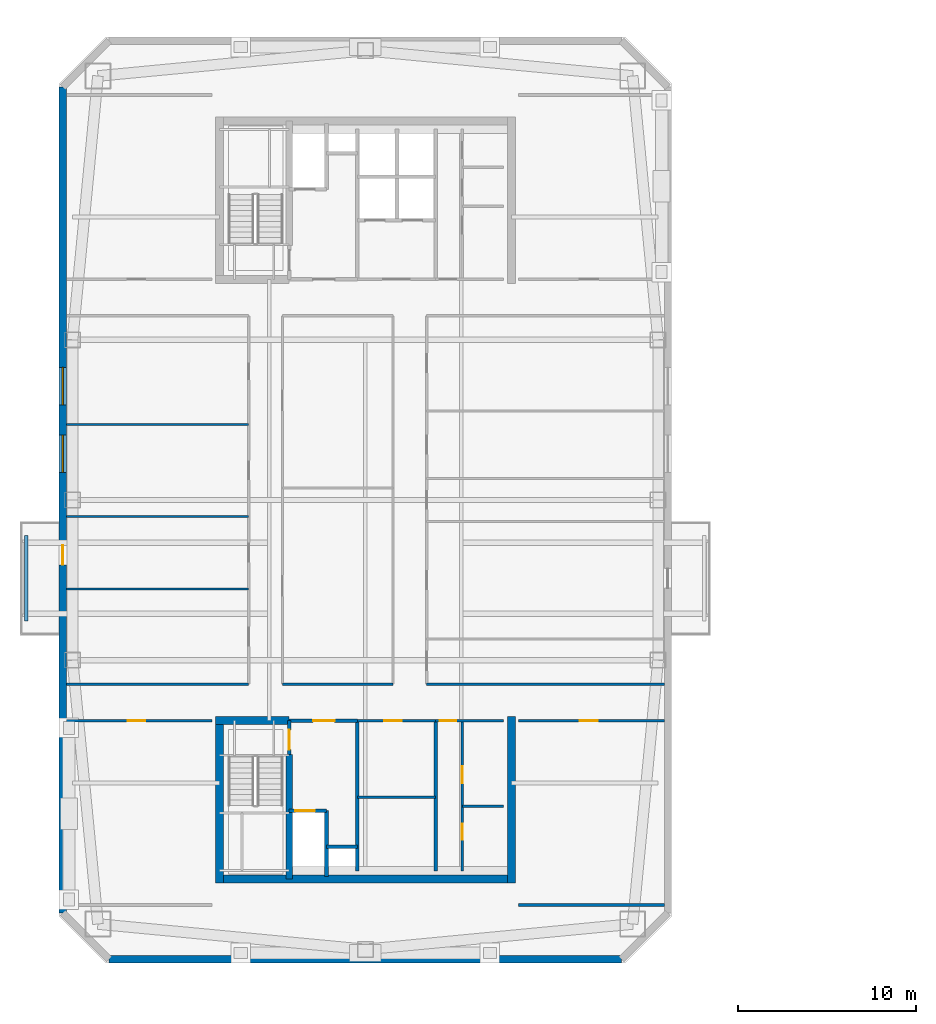
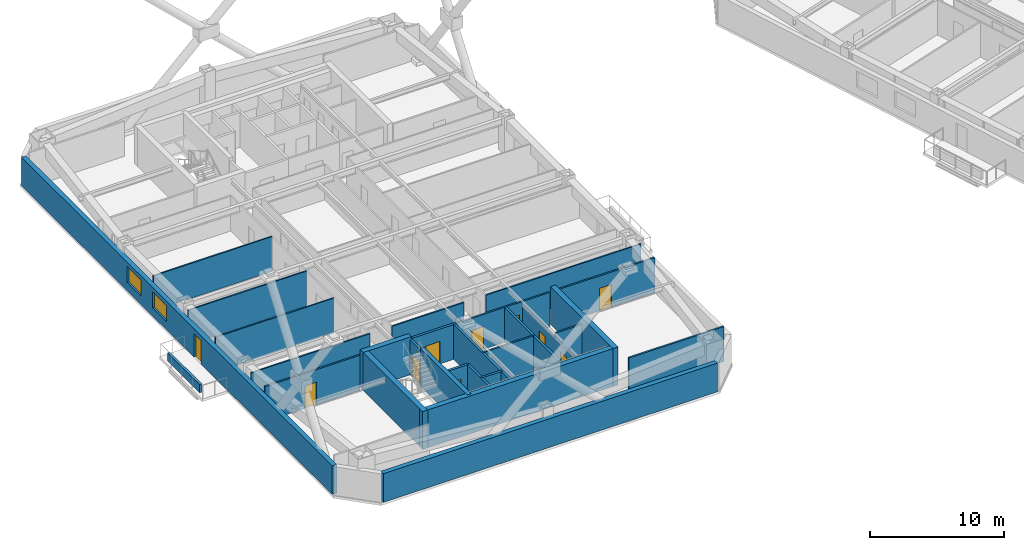
# One storey, part 6 of 16: 29 walls, 10 doors, 2 windows, 12 openings.
"""IFC4 building model written with IfcOpenShell, lengths in metres."""

from ifc_helpers import new_model, si_unit, direction, frame, frame_2d, origin, place, context, subcontext, project, spatial, rectangle, extrude, material, layer, layer_set, type_object, element, fill, save


model = new_model("IFC4")

# Units and contexts
model_context = context("Model", 3, precision=1e-05, world=origin(), true_north=direction((0.0, 1.0)))
body_context = subcontext(model_context, "Body", "Model", "MODEL_VIEW")
ifc_project = project(units=[si_unit("LENGTHUNIT", "METRE"), si_unit("AREAUNIT", "SQUARE_METRE"), si_unit("VOLUMEUNIT", "CUBIC_METRE"), si_unit("PLANEANGLEUNIT", "RADIAN"), si_unit("MASSUNIT", "GRAM", prefix="KILO")], contexts=[model_context])

# Site, building, storey
site_placement = place(None, origin())
site = spatial("IfcSite", under=ifc_project, at=site_placement, CompositionType="ELEMENT")
building_placement = place(site_placement, origin())
building = spatial("IfcBuilding", under=site, at=building_placement, Name="Qiaolan Cultural Towers", CompositionType="ELEMENT")
storey_placement = place(building_placement, frame((0.0, 0.0, 188.60009765625)))
storey = spatial("IfcBuildingStorey", under=building, at=storey_placement, Name="L50", CompositionType="ELEMENT", Elevation=188.60009765625)

# Walls
ifc_material_1 = material(Name="Concrete C50", Category="concrete")
ifc_layer_1 = layer(ifc_material_1, 0.35009765625)
ifc_layer_set_1 = layer_set([ifc_layer_1], Name="Concrete C50")
wall_type_1 = type_object("IfcWallType", Name="WL-CORE-350", PredefinedType="SHEAR", material=ifc_layer_set_1)
wall_1_placement = place(storey_placement, frame((25.719970703125, 19.699951171875, 0.0), z_axis=(0.0, 0.0, 1.0), x_axis=(0.0, -1.0, 0.0)))
element("IfcWall", 1, at=wall_1_placement, inside=storey, type_object=wall_type_1, Name="L50 T1-CS Stair Core Dividing Web", PredefinedType="SHEAR", context=body_context, shape_type="SweptSolid", body=[
    extrude(rectangle(XDim=6.97998046875, YDim=0.35009765625, at=frame_2d((3.489990234375, 0.0))), origin(), (0.0, 0.0, 1.0), 3.449951171875),
])
ifc_material_2 = material(Name="Concrete C50", Category="concrete")
ifc_layer_2 = layer(ifc_material_2, 0.449951171875)
ifc_layer_set_2 = layer_set([ifc_layer_2], Name="Concrete C50")
wall_type_2 = type_object("IfcWallType", Name="WL-CORE-450", PredefinedType="SHEAR", material=ifc_layer_set_2)
wall_2_placement = place(storey_placement, frame((21.574951171875, 12.719970703125, 0.0), z_axis=(0.0, 0.0, 1.0), x_axis=(1.0, 0.0, 0.0)))
element("IfcWall", 2, at=wall_2_placement, inside=storey, type_object=wall_type_2, Name="L50 T1-CS Outer Core Shear Wall", PredefinedType="SHEAR", context=body_context, shape_type="SweptSolid", body=[
    extrude(rectangle(XDim=16.85009765625, YDim=0.449951171875, at=frame_2d((8.425048828125, 0.0))), origin(), (0.0, 0.0, 1.0), 3.449951171875),
])
for number, where, z_axis, x_axis, name in (
    (3, (21.800048828125, 21.824951171875, 0.0), (0.0, 0.0, 1.0), (0.0, -1.0, 0.0), "L50 T1-CS West Core Shear Wall"),
    (4, (38.199951171875, 21.824951171875, 0.0), (0.0, 0.0, 1.0), (0.0, -1.0, 0.0), "L50 T1-CS East Core Shear Wall"),
):
    element("IfcWall", number, at=place(storey_placement, frame(where, z_axis=z_axis, x_axis=x_axis)), inside=storey, type_object=wall_type_2, Name=name, PredefinedType="SHEAR", context=body_context, shape_type="SweptSolid", body=[
        extrude(rectangle(XDim=9.329833984375, YDim=0.449951171875, at=frame_2d((4.6650390625, 0.0))), origin(), (0.0, 0.0, 1.0), 3.449951171875),
    ])
wall_3_placement = place(storey_placement, frame((21.574951171875, 21.60009765625, 0.0), z_axis=(0.0, 0.0, 1.0), x_axis=(1.0, 0.0, 0.0)))
element("IfcWall", 5, at=wall_3_placement, inside=storey, type_object=wall_type_2, Name="L50 T1-CS Stair Front Shear Wall", PredefinedType="SHEAR", context=body_context, shape_type="SweptSolid", body=[
    extrude(rectangle(XDim=4.14501953125, YDim=0.449951171875, at=frame_2d((2.072509765625, 0.0))), origin(), (0.0, 0.0, 1.0), 3.449951171875),
])

# Wall, openings, door, windows
ifc_material_3 = material(Name="Precast Concrete C50 Honed Stone Pier", Category="masonry")
ifc_layer_3 = layer(ifc_material_3, 0.39990234375)
ifc_layer_set_3 = layer_set([ifc_layer_3], Name="Precast Concrete C50 Honed Stone Pier")
wall_type_3 = type_object("IfcWallType", Name="WL-EXT-PIER-400", PredefinedType="SOLIDWALL", material=ifc_layer_set_3)
wall_4_placement = place(storey_placement, frame((13.0, 10.800048828125, 0.0), z_axis=(0.0, 0.0, 1.0), x_axis=(0.0, 1.0, 0.0)))
wall_4 = element("IfcWall", 6, at=wall_4_placement, inside=storey, type_object=wall_type_3, Name="L50 West Tower Precast Pier Facade Wall F1", PredefinedType="SOLIDWALL", context=body_context, shape_type="SweptSolid", body=[
    extrude(rectangle(XDim=46.39990234375, YDim=0.39990234375, at=frame_2d((23.199951171875, 0.0))), origin(), (0.0, 0.0, 1.0), 2.60986328125),
])
opening_1_placement = place(wall_4_placement, frame((24.75, 0.0, 0.75)))
opening_1 = element("IfcOpeningElement", 7, at=opening_1_placement, cuts=wall_4, Name="Opening W-05", PredefinedType="OPENING", context=body_context, shape_type="SweptSolid", body=[
    extrude(rectangle(XDim=2.10009765625, YDim=1.4599609375, at=frame_2d((1.050048828125, 0.72998046875))), frame((0.0, 0.2099609375, 0.0), z_axis=(0.0, -1.0, 0.0), x_axis=(1.0, 0.0, 0.0)), (0.0, 0.0, 1.0), 0.419921875),
])
opening_2_placement = place(wall_4_placement, frame((28.550048828125, 0.0, 0.75)))
opening_2 = element("IfcOpeningElement", 8, at=opening_2_placement, cuts=wall_4, Name="Opening W-05", PredefinedType="OPENING", context=body_context, shape_type="SweptSolid", body=[
    extrude(rectangle(XDim=2.10009765625, YDim=1.4599609375, at=frame_2d((1.050048828125, 0.72998046875))), frame((0.0, 0.2099609375, 0.0), z_axis=(0.0, -1.0, 0.0), x_axis=(1.0, 0.0, 0.0)), (0.0, 0.0, 1.0), 0.419921875),
])
opening_3_placement = place(wall_4_placement, frame((19.550048828125, 0.0, 0.0)))
opening_3 = element("IfcOpeningElement", 9, at=opening_3_placement, cuts=wall_4, Name="Opening BD-01", PredefinedType="OPENING", context=body_context, shape_type="SweptSolid", body=[
    extrude(rectangle(XDim=1.10009765625, YDim=2.14990234375, at=frame_2d((0.550048828125, 1.074951171875))), frame((0.0, 0.2099609375, 0.0), z_axis=(0.0, -1.0, 0.0), x_axis=(1.0, 0.0, 0.0)), (0.0, 0.0, 1.0), 0.419921875),
])
ifc_material_4 = material(Name="Thermally Broken Aluminium Glazed Terrace Door", Category="aluminium")
door_type_1 = type_object("IfcDoorType", Name="DR-BAL-1100", OperationType="NOTDEFINED", PredefinedType="DOOR", material=ifc_material_4)
door_1_placement = place(opening_3_placement, origin())
door_1 = element("IfcDoor", 10, at=door_1_placement, inside=storey, type_object=door_type_1, Name="L50 T1 West Tree Balcony Door", OperationType="SINGLE_SWING_LEFT", OverallHeight=2.14990234375, OverallWidth=1.10009765625, PredefinedType="DOOR", context=body_context, shape_type="SweptSolid", body=[
    extrude(rectangle(XDim=1.10009765625, YDim=2.14990234375, at=frame_2d((0.550048828125, 1.074951171875))), frame((0.0, 0.02490234375, 0.0), z_axis=(0.0, -1.0, 0.0), x_axis=(1.0, 0.0, 0.0)), (0.0, 0.0, 1.0), 0.050048828125),
])
fill(opening_3, door_1)
ifc_material_5 = material(Name="Thermally Broken Aluminium Triple Low-E Glazing", Category="aluminium")
window_type = type_object("IfcWindowType", Name="WN-CHIC-2100", PartitioningType="SINGLE_PANEL", PredefinedType="WINDOW", material=ifc_material_5)
window_1_placement = place(opening_1_placement, origin())
window_1 = element("IfcWindow", 11, at=window_1_placement, inside=storey, type_object=window_type, Name="L50 T1 W Chicago Bay Window 1", OverallHeight=1.4599609375, OverallWidth=2.10009765625, PartitioningType="TRIPLE_PANEL_VERTICAL", PredefinedType="WINDOW", context=body_context, shape_type="SweptSolid", body=[
    extrude(rectangle(XDim=2.10009765625, YDim=1.4599609375, at=frame_2d((1.050048828125, 0.72998046875))), frame((0.0, 0.030029296875, 0.0), z_axis=(0.0, -1.0, 0.0), x_axis=(1.0, 0.0, 0.0)), (0.0, 0.0, 1.0), 0.06005859375),
])
fill(opening_1, window_1)
window_2_placement = place(opening_2_placement, origin())
window_2 = element("IfcWindow", 12, at=window_2_placement, inside=storey, type_object=window_type, Name="L50 T1 W Chicago Bay Window 2", OverallHeight=1.4599609375, OverallWidth=2.10009765625, PartitioningType="TRIPLE_PANEL_VERTICAL", PredefinedType="WINDOW", context=body_context, shape_type="SweptSolid", body=[
    extrude(rectangle(XDim=2.10009765625, YDim=1.4599609375, at=frame_2d((1.050048828125, 0.72998046875))), frame((0.0, 0.030029296875, 0.0), z_axis=(0.0, -1.0, 0.0), x_axis=(1.0, 0.0, 0.0)), (0.0, 0.0, 1.0), 0.06005859375),
])
fill(opening_2, window_2)

# Wall
wall_5_placement = place(storey_placement, frame((44.39990234375, 8.199951171875, 0.0), z_axis=(0.0, 0.0, 1.0), x_axis=(-1.0, 0.0, 0.0)))
element("IfcWall", 13, at=wall_5_placement, inside=storey, type_object=wall_type_3, Name="L50 West Tower Precast Pier Facade Wall F7", PredefinedType="SOLIDWALL", context=body_context, shape_type="SweptSolid", body=[
    extrude(rectangle(XDim=28.7998046875, YDim=0.39990234375, at=frame_2d((14.39990234375, 0.0))), origin(), (0.0, 0.0, 1.0), 2.60986328125),
])

# Wall, opening, door
ifc_material_6 = material(Name="Concrete C35 Fire Wall", Category="concrete")
ifc_layer_4 = layer(ifc_material_6, 0.199951171875)
ifc_layer_set_4 = layer_set([ifc_layer_4], Name="Concrete C35 Fire Wall")
wall_type_4 = type_object("IfcWallType", Name="WL-FIRE-200", PredefinedType="PARTITIONING", material=ifc_layer_set_4)
wall_6_placement = place(storey_placement, frame((25.719970703125, 21.60009765625, 0.0), z_axis=(0.0, 0.0, 1.0), x_axis=(0.0, -1.0, 0.0)))
wall_6 = element("IfcWall", 14, at=wall_6_placement, inside=storey, type_object=wall_type_4, Name="L50 T1-CS Smokeproof Stair Entry Wall", PredefinedType="PARTITIONING", context=body_context, shape_type="SweptSolid", body=[
    extrude(rectangle(XDim=1.900146484375, YDim=0.199951171875, at=frame_2d((0.9501953125, 0.0))), origin(), (0.0, 0.0, 1.0), 3.1748046875),
])
opening_4_placement = place(wall_6_placement, frame((0.52001953125, 0.0, 0.0)))
opening_4 = element("IfcOpeningElement", 15, at=opening_4_placement, cuts=wall_6, Name="Opening FD-04", PredefinedType="OPENING", context=body_context, shape_type="SweptSolid", body=[
    extrude(rectangle(XDim=1.10009765625, YDim=2.050048828125, at=frame_2d((0.550048828125, 1.02490234375))), frame((0.0, 0.10986328125, 0.0), z_axis=(0.0, -1.0, 0.0), x_axis=(1.0, 0.0, 0.0)), (0.0, 0.0, 1.0), 0.219970703125),
])
ifc_material_7 = material(Name="Galvanized Steel Command Fire Door", Category="steel")
door_type_2 = type_object("IfcDoorType", Name="DR-FD90-1100", OperationType="NOTDEFINED", PredefinedType="DOOR", material=ifc_material_7)
door_2_placement = place(opening_4_placement, origin())
door_2 = element("IfcDoor", 16, at=door_2_placement, inside=storey, type_object=door_type_2, Name="L50 ST-W1 Smokeproof Stair Fire Door", OperationType="SINGLE_SWING_LEFT", OverallHeight=2.050048828125, OverallWidth=1.10009765625, PredefinedType="DOOR", context=body_context, shape_type="SweptSolid", body=[
    extrude(rectangle(XDim=1.10009765625, YDim=2.050048828125, at=frame_2d((0.550048828125, 1.02490234375))), frame((0.0, 0.02490234375, 0.0), z_axis=(0.0, -1.0, 0.0), x_axis=(1.0, 0.0, 0.0)), (0.0, 0.0, 1.0), 0.050048828125),
])
fill(opening_4, door_2)

# Wall
wall_7_placement = place(storey_placement, frame((29.550048828125, 21.60009765625, 0.0), z_axis=(0.0, 0.0, 1.0), x_axis=(0.0, -1.0, 0.0)))
element("IfcWall", 17, at=wall_7_placement, inside=storey, type_object=wall_type_4, Name="L50 T1-CS Firefighting Zone Wall", PredefinedType="PARTITIONING", context=body_context, shape_type="SweptSolid", body=[
    extrude(rectangle(XDim=8.43017578125, YDim=0.199951171875, at=frame_2d((4.215087890625, 0.0))), origin(), (0.0, 0.0, 1.0), 3.1748046875),
])

# Wall, opening, door
wall_8_placement = place(storey_placement, frame((25.719970703125, 21.60009765625, 0.0), z_axis=(0.0, 0.0, 1.0), x_axis=(1.0, 0.0, 0.0)))
wall_8 = element("IfcWall", 18, at=wall_8_placement, inside=storey, type_object=wall_type_4, Name="L50 T1-CS Firefighting Lobby Front Wall", PredefinedType="PARTITIONING", context=body_context, shape_type="SweptSolid", body=[
    extrude(rectangle(XDim=3.830078125, YDim=0.199951171875, at=frame_2d((1.9150390625, 0.0))), origin(), (0.0, 0.0, 1.0), 3.1748046875),
])
opening_5_placement = place(wall_8_placement, frame((1.35009765625, 0.0, 0.0)))
opening_5 = element("IfcOpeningElement", 19, at=opening_5_placement, cuts=wall_8, Name="Opening FD-03", PredefinedType="OPENING", context=body_context, shape_type="SweptSolid", body=[
    extrude(rectangle(XDim=1.199951171875, YDim=2.050048828125, at=frame_2d((0.60009765625, 1.02490234375))), frame((0.0, 0.10986328125, 0.0), z_axis=(0.0, -1.0, 0.0), x_axis=(1.0, 0.0, 0.0)), (0.0, 0.0, 1.0), 0.219970703125),
])
ifc_material_8 = material(Name="Galvanized Steel Smokeproof Lobby Fire Door", Category="steel")
door_type_3 = type_object("IfcDoorType", Name="DR-FD90-1200", OperationType="NOTDEFINED", PredefinedType="DOOR", material=ifc_material_8)
door_3_placement = place(opening_5_placement, origin())
door_3 = element("IfcDoor", 20, at=door_3_placement, inside=storey, type_object=door_type_3, Name="L50 FFL-W1 Firefighting Lobby Fire Door", OperationType="SINGLE_SWING_LEFT", OverallHeight=2.050048828125, OverallWidth=1.199951171875, PredefinedType="DOOR", context=body_context, shape_type="SweptSolid", body=[
    extrude(rectangle(XDim=1.199951171875, YDim=2.050048828125, at=frame_2d((0.60009765625, 1.02490234375))), frame((0.0, 0.02490234375, 0.0), z_axis=(0.0, -1.0, 0.0), x_axis=(1.0, 0.0, 0.0)), (0.0, 0.0, 1.0), 0.050048828125),
])
fill(opening_5, door_3)

wall_9_placement = place(storey_placement, frame((25.719970703125, 16.550048828125, 0.0), z_axis=(0.0, 0.0, 1.0), x_axis=(1.0, 0.0, 0.0)))
wall_9 = element("IfcWall", 21, at=wall_9_placement, inside=storey, type_object=wall_type_4, Name="L50 T1-CS Firefighting Shaft Front Wall", PredefinedType="PARTITIONING", context=body_context, shape_type="SweptSolid", body=[
    extrude(rectangle(XDim=2.10009765625, YDim=0.199951171875, at=frame_2d((1.050048828125, 0.0))), origin(), (0.0, 0.0, 1.0), 3.1748046875),
])
opening_6_placement = place(wall_9_placement, frame((0.35009765625, 0.0, 0.0)))
opening_6 = element("IfcOpeningElement", 22, at=opening_6_placement, cuts=wall_9, Name="Opening LD-01", PredefinedType="OPENING", context=body_context, shape_type="SweptSolid", body=[
    extrude(rectangle(XDim=1.10009765625, YDim=2.050048828125, at=frame_2d((0.550048828125, 1.02490234375))), frame((0.0, 0.10986328125, 0.0), z_axis=(0.0, -1.0, 0.0), x_axis=(1.0, 0.0, 0.0)), (0.0, 0.0, 1.0), 0.219970703125),
])
ifc_material_9 = material(Name="Brushed Stainless Steel S30408 Centre-Parting Lift Landing Door", Category="steel")
door_type_4 = type_object("IfcDoorType", Name="DR-LIFT-1100", OperationType="NOTDEFINED", PredefinedType="DOOR", material=ifc_material_9)
door_4_placement = place(opening_6_placement, origin())
door_4 = element("IfcDoor", 23, at=door_4_placement, inside=storey, type_object=door_type_4, Name="L50 FFL-W1 Firefighting Lift Landing Door", OperationType="DOUBLE_DOOR_SLIDING", OverallHeight=2.050048828125, OverallWidth=1.10009765625, PredefinedType="DOOR", context=body_context, shape_type="SweptSolid", body=[
    extrude(rectangle(XDim=1.10009765625, YDim=2.050048828125, at=frame_2d((0.550048828125, 1.02490234375))), frame((0.0, 0.02490234375, 0.0), z_axis=(0.0, -1.0, 0.0), x_axis=(1.0, 0.0, 0.0)), (0.0, 0.0, 1.0), 0.050048828125),
])
fill(opening_6, door_4)

# Walls
wall_10_placement = place(storey_placement, frame((27.820068359375, 16.550048828125, 0.0), z_axis=(0.0, 0.0, 1.0), x_axis=(0.0, -1.0, 0.0)))
element("IfcWall", 24, at=wall_10_placement, inside=storey, type_object=wall_type_4, Name="L50 T1-CS Firefighting Hoistway East Wall", PredefinedType="PARTITIONING", context=body_context, shape_type="SweptSolid", body=[
    extrude(rectangle(XDim=3.699951171875, YDim=0.199951171875, at=frame_2d((1.85009765625, 0.0))), origin(), (0.0, 0.0, 1.0), 3.1748046875),
])
wall_11_placement = place(storey_placement, frame((27.820068359375, 14.52001953125, 0.0), z_axis=(0.0, 0.0, 1.0), x_axis=(1.0, 0.0, 0.0)))
element("IfcWall", 25, at=wall_11_placement, inside=storey, type_object=wall_type_4, Name="L50 T1-CS Pressurization Shaft Front Wall", PredefinedType="PARTITIONING", context=body_context, shape_type="SweptSolid", body=[
    extrude(rectangle(XDim=1.72998046875, YDim=0.199951171875, at=frame_2d((0.864990234375, 0.0))), origin(), (0.0, 0.0, 1.0), 3.1748046875),
])
wall_12_placement = place(storey_placement, frame((33.949951171875, 21.60009765625, 0.0), z_axis=(0.0, 0.0, 1.0), x_axis=(0.0, -1.0, 0.0)))
element("IfcWall", 26, at=wall_12_placement, inside=storey, type_object=wall_type_4, Name="L50 T1-CS Lift Core East Wall", PredefinedType="PARTITIONING", context=body_context, shape_type="SweptSolid", body=[
    extrude(rectangle(XDim=8.43017578125, YDim=0.199951171875, at=frame_2d((4.215087890625, 0.0))), origin(), (0.0, 0.0, 1.0), 3.1748046875),
])
ifc_material_10 = material(Name="Gypsum Stud Acoustic Partition", Category="gypsum")
ifc_layer_5 = layer(ifc_material_10, 0.1201171875)
ifc_layer_set_5 = layer_set([ifc_layer_5], Name="Gypsum Stud Acoustic Partition")
wall_type_5 = type_object("IfcWallType", Name="WL-PART-120", PredefinedType="PARTITIONING", material=ifc_layer_set_5)
wall_13_placement = place(storey_placement, frame((13.199951171875, 23.64990234375, 0.0), z_axis=(0.0, 0.0, 1.0), x_axis=(1.0, 0.0, 0.0)))
element("IfcWall", 27, at=wall_13_placement, inside=storey, type_object=wall_type_5, Name="L50 T1 Interior Wall", PredefinedType="PARTITIONING", context=body_context, shape_type="SweptSolid", body=[
    extrude(rectangle(XDim=10.25, YDim=0.1201171875, at=frame_2d((5.125, 0.0))), origin(), (0.0, 0.0, 1.0), 3.1748046875),
])
wall_14_placement = place(storey_placement, frame((25.35009765625, 23.64990234375, 0.0), z_axis=(0.0, 0.0, 1.0), x_axis=(1.0, 0.0, 0.0)))
element("IfcWall", 28, at=wall_14_placement, inside=storey, type_object=wall_type_5, Name="L50 T1 Interior Wall", PredefinedType="PARTITIONING", context=body_context, shape_type="SweptSolid", body=[
    extrude(rectangle(XDim=6.199951171875, YDim=0.1201171875, at=frame_2d((3.10009765625, 0.0))), origin(), (0.0, 0.0, 1.0), 3.1748046875),
])
wall_15_placement = place(storey_placement, frame((33.449951171875, 23.64990234375, 0.0), z_axis=(0.0, 0.0, 1.0), x_axis=(1.0, 0.0, 0.0)))
element("IfcWall", 29, at=wall_15_placement, inside=storey, type_object=wall_type_5, Name="L50 T1 Interior Wall", PredefinedType="PARTITIONING", context=body_context, shape_type="SweptSolid", body=[
    extrude(rectangle(XDim=13.35009765625, YDim=0.1201171875, at=frame_2d((6.675048828125, 0.0))), origin(), (0.0, 0.0, 1.0), 3.1748046875),
])
for number, where, z_axis, x_axis, name in (
    (30, (13.199951171875, 29.0, 0.0), (0.0, 0.0, 1.0), (1.0, 0.0, 0.0), "L50 T1 Interior Wall"),
    (31, (13.199951171875, 33.06494140625, 0.0), (0.0, 0.0, 1.0), (1.0, 0.0, 0.0), "L50 T1 Interior Wall"),
    (32, (13.199951171875, 38.239990234375, 0.0), (0.0, 0.0, 1.0), (1.0, 0.0, 0.0), "L50 T1 Interior Wall"),
):
    element("IfcWall", number, at=place(storey_placement, frame(where, z_axis=z_axis, x_axis=x_axis)), inside=storey, type_object=wall_type_5, Name=name, PredefinedType="PARTITIONING", context=body_context, shape_type="SweptSolid", body=[
        extrude(rectangle(XDim=10.25, YDim=0.1201171875, at=frame_2d((5.125, 0.0))), origin(), (0.0, 0.0, 1.0), 3.1748046875),
    ])

# Wall, opening, door
ifc_material_11 = material(Name="Autoclaved Aerated Concrete Block B06", Category="concrete")
ifc_layer_6 = layer(ifc_material_11, 0.14990234375)
ifc_layer_set_6 = layer_set([ifc_layer_6], Name="Autoclaved Aerated Concrete Block B06")
wall_type_6 = type_object("IfcWallType", Name="WL-PART-150", PredefinedType="PARTITIONING", material=ifc_layer_set_6)
wall_16_placement = place(storey_placement, frame((29.550048828125, 21.60009765625, 0.0), z_axis=(0.0, 0.0, 1.0), x_axis=(1.0, 0.0, 0.0)))
wall_16 = element("IfcWall", 33, at=wall_16_placement, inside=storey, type_object=wall_type_6, Name="L50 T1-CS Reclaimed Core Room Front Wall", PredefinedType="PARTITIONING", context=body_context, shape_type="SweptSolid", body=[
    extrude(rectangle(XDim=4.39990234375, YDim=0.14990234375, at=frame_2d((2.199951171875, 0.0))), origin(), (0.0, 0.0, 1.0), 3.1748046875),
])
opening_7_placement = place(wall_16_placement, frame((1.5, 0.0, 0.0)))
opening_7 = element("IfcOpeningElement", 34, at=opening_7_placement, cuts=wall_16, Name="Opening ID-04", PredefinedType="OPENING", context=body_context, shape_type="SweptSolid", body=[
    extrude(rectangle(XDim=1.0, YDim=2.050048828125, at=frame_2d((0.5, 1.02490234375))), frame((0.0, 0.0849609375, 0.0), z_axis=(0.0, -1.0, 0.0), x_axis=(1.0, 0.0, 0.0)), (0.0, 0.0, 1.0), 0.169921875),
])
ifc_material_12 = material(Name="Oak Veneer Acoustic Office Door", Category="timber")
door_type_5 = type_object("IfcDoorType", Name="DR-INT-1000", OperationType="NOTDEFINED", PredefinedType="DOOR", material=ifc_material_12)
door_5_placement = place(opening_7_placement, origin())
door_5 = element("IfcDoor", 35, at=door_5_placement, inside=storey, type_object=door_type_5, Name="L50 Focus Pod Room Door", OperationType="SINGLE_SWING_LEFT", OverallHeight=2.050048828125, OverallWidth=1.0, PredefinedType="DOOR", context=body_context, shape_type="SweptSolid", body=[
    extrude(rectangle(XDim=1.0, YDim=2.050048828125, at=frame_2d((0.5, 1.02490234375))), frame((0.0, 0.02490234375, 0.0), z_axis=(0.0, -1.0, 0.0), x_axis=(1.0, 0.0, 0.0)), (0.0, 0.0, 1.0), 0.050048828125),
])
fill(opening_7, door_5)

# Wall
wall_17_placement = place(storey_placement, frame((29.550048828125, 17.300048828125, 0.0), z_axis=(0.0, 0.0, 1.0), x_axis=(1.0, 0.0, 0.0)))
element("IfcWall", 36, at=wall_17_placement, inside=storey, type_object=wall_type_6, Name="L50 T1-CS Reclaimed Room Subdivider", PredefinedType="PARTITIONING", context=body_context, shape_type="SweptSolid", body=[
    extrude(rectangle(XDim=4.39990234375, YDim=0.14990234375, at=frame_2d((2.199951171875, 0.0))), origin(), (0.0, 0.0, 1.0), 3.1748046875),
])

# Wall, opening, door
wall_18_placement = place(storey_placement, frame((33.949951171875, 21.60009765625, 0.0), z_axis=(0.0, 0.0, 1.0), x_axis=(1.0, 0.0, 0.0)))
wall_18 = element("IfcWall", 37, at=wall_18_placement, inside=storey, type_object=wall_type_6, Name="L50 T1-CS Sanitary Core Front Wall", PredefinedType="PARTITIONING", context=body_context, shape_type="SweptSolid", body=[
    extrude(rectangle(XDim=3.800048828125, YDim=0.14990234375, at=frame_2d((1.89990234375, 0.0))), origin(), (0.0, 0.0, 1.0), 3.1748046875),
])
opening_8_placement = place(wall_18_placement, frame((0.219970703125, 0.0, 0.0)))
opening_8 = element("IfcOpeningElement", 38, at=opening_8_placement, cuts=wall_18, Name="Opening ID-05", PredefinedType="OPENING", context=body_context, shape_type="SweptSolid", body=[
    extrude(rectangle(XDim=0.949951171875, YDim=2.050048828125, at=frame_2d((0.47509765625, 1.02490234375))), frame((0.0, 0.0849609375, 0.0), z_axis=(0.0, -1.0, 0.0), x_axis=(1.0, 0.0, 0.0)), (0.0, 0.0, 1.0), 0.169921875),
])
ifc_material_13 = material(Name="Fire-Rated Laminate Accessible Core Door", Category="timber")
door_type_6 = type_object("IfcDoorType", Name="DR-INT-950", OperationType="NOTDEFINED", PredefinedType="DOOR", material=ifc_material_13)
door_6_placement = place(opening_8_placement, origin())
door_6 = element("IfcDoor", 39, at=door_6_placement, inside=storey, type_object=door_type_6, Name="L50 Sanitary Lobby Door", OperationType="SINGLE_SWING_LEFT", OverallHeight=2.050048828125, OverallWidth=0.949951171875, PredefinedType="DOOR", context=body_context, shape_type="SweptSolid", body=[
    extrude(rectangle(XDim=0.949951171875, YDim=2.050048828125, at=frame_2d((0.47509765625, 1.02490234375))), frame((0.0, 0.02490234375, 0.0), z_axis=(0.0, -1.0, 0.0), x_axis=(1.0, 0.0, 0.0)), (0.0, 0.0, 1.0), 0.050048828125),
])
fill(opening_8, door_6)

# Wall, openings, doors
wall_19_placement = place(storey_placement, frame((35.449951171875, 21.60009765625, 0.0), z_axis=(0.0, 0.0, 1.0), x_axis=(0.0, -1.0, 0.0)))
wall_19 = element("IfcWall", 40, at=wall_19_placement, inside=storey, type_object=wall_type_6, Name="L50 T1-CS Washroom Split Wall", PredefinedType="PARTITIONING", context=body_context, shape_type="SweptSolid", body=[
    extrude(rectangle(XDim=8.43017578125, YDim=0.14990234375, at=frame_2d((4.215087890625, 0.0))), origin(), (0.0, 0.0, 1.0), 2.764892578125),
])
opening_9_placement = place(wall_19_placement, frame((2.550048828125, 0.0, 0.0)))
opening_9 = element("IfcOpeningElement", 41, at=opening_9_placement, cuts=wall_19, Name="Opening ID-05", PredefinedType="OPENING", context=body_context, shape_type="SweptSolid", body=[
    extrude(rectangle(XDim=0.949951171875, YDim=2.050048828125, at=frame_2d((0.47509765625, 1.02490234375))), frame((0.0, 0.0849609375, 0.0), z_axis=(0.0, -1.0, 0.0), x_axis=(1.0, 0.0, 0.0)), (0.0, 0.0, 1.0), 0.169921875),
])
opening_10_placement = place(wall_19_placement, frame((5.800048828125, 0.0, 0.0)))
opening_10 = element("IfcOpeningElement", 42, at=opening_10_placement, cuts=wall_19, Name="Opening ID-06", PredefinedType="OPENING", context=body_context, shape_type="SweptSolid", body=[
    extrude(rectangle(XDim=0.89990234375, YDim=2.050048828125, at=frame_2d((0.449951171875, 1.02490234375))), frame((0.0, 0.0849609375, 0.0), z_axis=(0.0, -1.0, 0.0), x_axis=(1.0, 0.0, 0.0)), (0.0, 0.0, 1.0), 0.169921875),
])
ifc_material_14 = material(Name="Fire-Rated Laminate Core Service Door", Category="timber")
door_type_7 = type_object("IfcDoorType", Name="DR-INT-900", OperationType="NOTDEFINED", PredefinedType="DOOR", material=ifc_material_14)
door_7_placement = place(opening_10_placement, origin())
door_7 = element("IfcDoor", 43, at=door_7_placement, inside=storey, type_object=door_type_7, Name="L50 First-Aid Room Door", OperationType="SINGLE_SWING_RIGHT", OverallHeight=2.050048828125, OverallWidth=0.89990234375, PredefinedType="DOOR", context=body_context, shape_type="SweptSolid", body=[
    extrude(rectangle(XDim=0.89990234375, YDim=2.050048828125, at=frame_2d((0.449951171875, 1.02490234375))), frame((0.0, 0.02490234375, 0.0), z_axis=(0.0, -1.0, 0.0), x_axis=(1.0, 0.0, 0.0)), (0.0, 0.0, 1.0), 0.050048828125),
])
fill(opening_10, door_7)
door_8_placement = place(opening_9_placement, origin())
door_8 = element("IfcDoor", 44, at=door_8_placement, inside=storey, type_object=door_type_6, Name="L50 Accessible Washroom Door", OperationType="SINGLE_SWING_LEFT", OverallHeight=2.050048828125, OverallWidth=0.949951171875, PredefinedType="DOOR", context=body_context, shape_type="SweptSolid", body=[
    extrude(rectangle(XDim=0.949951171875, YDim=2.050048828125, at=frame_2d((0.47509765625, 1.02490234375))), frame((0.0, 0.02490234375, 0.0), z_axis=(0.0, -1.0, 0.0), x_axis=(1.0, 0.0, 0.0)), (0.0, 0.0, 1.0), 0.050048828125),
])
fill(opening_9, door_8)

# Wall
wall_20_placement = place(storey_placement, frame((35.449951171875, 16.800048828125, 0.0), z_axis=(0.0, 0.0, 1.0), x_axis=(1.0, 0.0, 0.0)))
element("IfcWall", 45, at=wall_20_placement, inside=storey, type_object=wall_type_6, Name="L50 T1-CS First-Aid Wall", PredefinedType="PARTITIONING", context=body_context, shape_type="SweptSolid", body=[
    extrude(rectangle(XDim=2.300048828125, YDim=0.14990234375, at=frame_2d((1.14990234375, 0.0))), origin(), (0.0, 0.0, 1.0), 3.1748046875),
])

# Wall, opening, door
wall_21_placement = place(storey_placement, frame((13.199951171875, 21.60009765625, 0.0), z_axis=(0.0, 0.0, 1.0), x_axis=(1.0, 0.0, 0.0)))
wall_21 = element("IfcWall", 46, at=wall_21_placement, inside=storey, type_object=wall_type_6, Name="L50 T1 Flank Front FLK-SW", PredefinedType="PARTITIONING", context=body_context, shape_type="SweptSolid", body=[
    extrude(rectangle(XDim=8.199951171875, YDim=0.14990234375, at=frame_2d((4.10009765625, 0.0))), origin(), (0.0, 0.0, 1.0), 3.1748046875),
])
opening_11_placement = place(wall_21_placement, frame((3.444091796875, 0.0, 0.0)))
opening_11 = element("IfcOpeningElement", 47, at=opening_11_placement, cuts=wall_21, Name="Opening ID-04", PredefinedType="OPENING", context=body_context, shape_type="SweptSolid", body=[
    extrude(rectangle(XDim=1.0, YDim=2.050048828125, at=frame_2d((0.5, 1.02490234375))), frame((0.0, 0.0849609375, 0.0), z_axis=(0.0, -1.0, 0.0), x_axis=(1.0, 0.0, 0.0)), (0.0, 0.0, 1.0), 0.169921875),
])
door_9_placement = place(opening_11_placement, origin())
door_9 = element("IfcDoor", 48, at=door_9_placement, inside=storey, type_object=door_type_5, Name="L50 T1 Corner Studio Door", OperationType="SINGLE_SWING_LEFT", OverallHeight=2.050048828125, OverallWidth=1.0, PredefinedType="DOOR", context=body_context, shape_type="SweptSolid", body=[
    extrude(rectangle(XDim=1.0, YDim=2.050048828125, at=frame_2d((0.5, 1.02490234375))), frame((0.0, 0.02490234375, 0.0), z_axis=(0.0, -1.0, 0.0), x_axis=(1.0, 0.0, 0.0)), (0.0, 0.0, 1.0), 0.050048828125),
])
fill(opening_11, door_9)

# Wall
wall_22_placement = place(storey_placement, frame((38.60009765625, 11.25, 0.0), z_axis=(0.0, 0.0, 1.0), x_axis=(1.0, 0.0, 0.0)))
element("IfcWall", 49, at=wall_22_placement, inside=storey, type_object=wall_type_6, Name="L50 T1 Flank Wall FLK-SE", PredefinedType="PARTITIONING", context=body_context, shape_type="SweptSolid", body=[
    extrude(rectangle(XDim=8.199951171875, YDim=0.14990234375, at=frame_2d((4.10009765625, 0.0))), origin(), (0.0, 0.0, 1.0), 3.1748046875),
])

# Wall, opening, door
wall_23_placement = place(storey_placement, frame((38.60009765625, 21.60009765625, 0.0), z_axis=(0.0, 0.0, 1.0), x_axis=(1.0, 0.0, 0.0)))
wall_23 = element("IfcWall", 50, at=wall_23_placement, inside=storey, type_object=wall_type_6, Name="L50 T1 Flank Front FLK-SE", PredefinedType="PARTITIONING", context=body_context, shape_type="SweptSolid", body=[
    extrude(rectangle(XDim=8.199951171875, YDim=0.14990234375, at=frame_2d((4.10009765625, 0.0))), origin(), (0.0, 0.0, 1.0), 3.1748046875),
])
opening_12_placement = place(wall_23_placement, frame((3.444091796875, 0.0, 0.0)))
opening_12 = element("IfcOpeningElement", 51, at=opening_12_placement, cuts=wall_23, Name="Opening ID-04", PredefinedType="OPENING", context=body_context, shape_type="SweptSolid", body=[
    extrude(rectangle(XDim=1.0, YDim=2.050048828125, at=frame_2d((0.5, 1.02490234375))), frame((0.0, 0.0849609375, 0.0), z_axis=(0.0, -1.0, 0.0), x_axis=(1.0, 0.0, 0.0)), (0.0, 0.0, 1.0), 0.169921875),
])
door_10_placement = place(opening_12_placement, origin())
door_10 = element("IfcDoor", 52, at=door_10_placement, inside=storey, type_object=door_type_5, Name="L50 T1 Corner Studio Door", OperationType="SINGLE_SWING_LEFT", OverallHeight=2.050048828125, OverallWidth=1.0, PredefinedType="DOOR", context=body_context, shape_type="SweptSolid", body=[
    extrude(rectangle(XDim=1.0, YDim=2.050048828125, at=frame_2d((0.5, 1.02490234375))), frame((0.0, 0.02490234375, 0.0), z_axis=(0.0, -1.0, 0.0), x_axis=(1.0, 0.0, 0.0)), (0.0, 0.0, 1.0), 0.050048828125),
])
fill(opening_12, door_10)

# Wall
ifc_material_15 = material(Name="Precast Concrete C45 Tree Planter Upstand", Category="concrete")
ifc_layer_7 = layer(ifc_material_15, 0.199951171875)
ifc_layer_set_7 = layer_set([ifc_layer_7], Name="Precast Concrete C45 Tree Planter Upstand")
wall_type_7 = type_object("IfcWallType", Name="WL-PLANTER-200", PredefinedType="PARAPET", material=ifc_layer_set_7)
wall_24_placement = place(storey_placement, frame((10.949951171875, 27.199951171875, 0.0), z_axis=(0.0, 0.0, 1.0), x_axis=(0.0, 1.0, 0.0)))
element("IfcWall", 53, at=wall_24_placement, inside=storey, type_object=wall_type_7, Name="L50 T1 Tree Balcony Soil Planter Box W", PredefinedType="PARAPET", context=body_context, shape_type="SweptSolid", body=[
    extrude(rectangle(XDim=4.800048828125, YDim=0.199951171875, at=frame_2d((2.39990234375, 0.0))), origin(), (0.0, 0.0, 1.0), 0.75),
])

save(model, "model.ifc")
